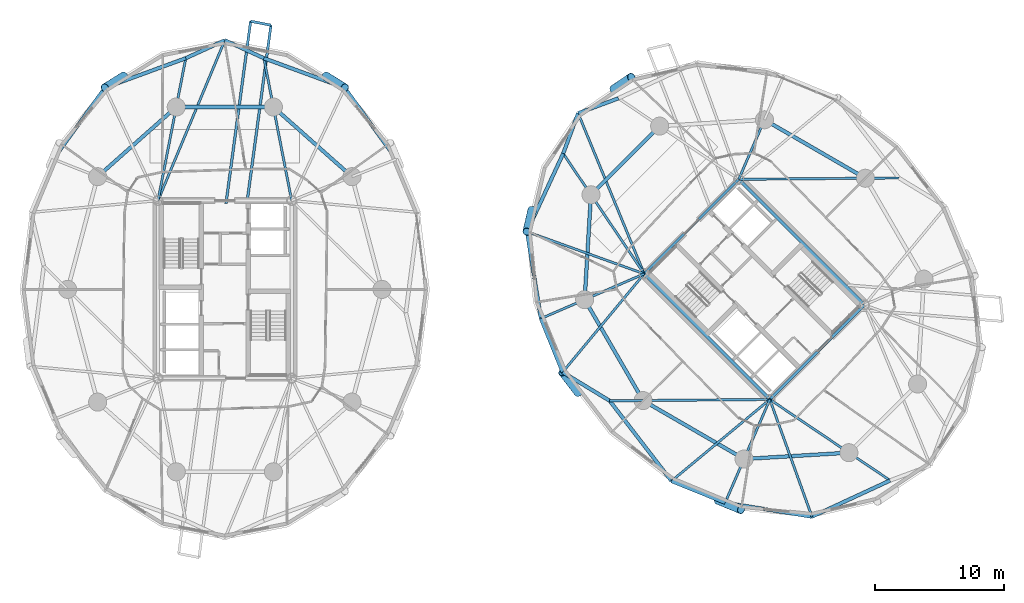
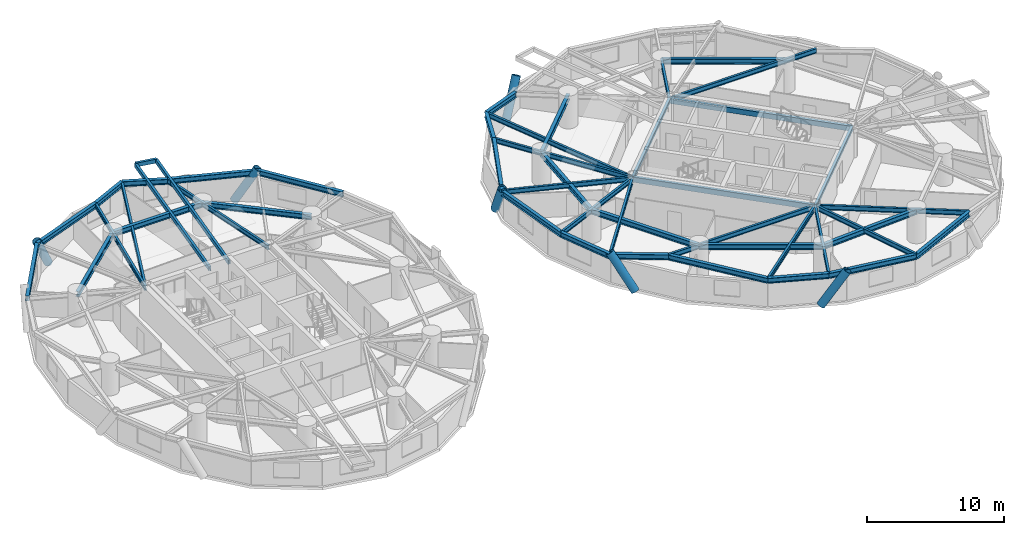
# One storey, part 5 of 16: 48 beams, 6 members.
"""IFC4 building model written with IfcOpenShell, lengths in metres."""

from ifc_helpers import new_model, si_unit, direction, frame, origin, origin_2d, place, context, subcontext, project, spatial, hollow_rectangle, hollow_circle, i_section, extrude, material, material_profile, profile_set, type_object, element, save


model = new_model("IFC4")

# Units and contexts
model_context = context("Model", 3, precision=1e-05, world=origin(), true_north=direction((0.0, 1.0)))
body_context = subcontext(model_context, "Body", "Model", "MODEL_VIEW")
ifc_project = project(units=[si_unit("LENGTHUNIT", "METRE"), si_unit("AREAUNIT", "SQUARE_METRE"), si_unit("VOLUMEUNIT", "CUBIC_METRE"), si_unit("PLANEANGLEUNIT", "RADIAN"), si_unit("MASSUNIT", "GRAM", prefix="KILO")], contexts=[model_context])

# Site, building, storey
site_placement = place(None, origin())
site = spatial("IfcSite", under=ifc_project, at=site_placement, CompositionType="ELEMENT")
building_placement = place(site_placement, origin())
building = spatial("IfcBuilding", under=site, at=building_placement, Name="Cununo Teusaquillo Station Towers", CompositionType="ELEMENT")
storey_placement = place(building_placement, frame((0.0, 0.0, 99.25)))
storey = spatial("IfcBuildingStorey", under=building, at=storey_placement, Name="L31", CompositionType="ELEMENT", Elevation=99.25)

# Beams
ifc_material_1 = material(Name="Steel EN 10025-2 S355J2", Category="steel")
ifc_material_profile_1 = material_profile(ifc_material_1, hollow_rectangle(XDim=0.199951171875, YDim=0.35009765625, WallThickness=0.013916015625, at=origin_2d()), Name="RHS 350x200x14")
ifc_profile_set_1 = profile_set([ifc_material_profile_1], Name="Steel EN 10025-2 S355J2")
beam_type_1 = type_object("IfcBeamType", Name="BM-BAL-CANT", PredefinedType="BEAM", material=ifc_profile_set_1)
beam_1_placement = place(storey_placement, frame((18.206298828125, 31.14990234375, 2.4951171875), z_axis=(0.133960678738, 0.990986648019, 0.0), x_axis=(-0.990986648019, 0.133960678738, 0.0)))
element("IfcBeam", 1, at=beam_1_placement, inside=storey, type_object=beam_type_1, Name="L31 Tower A Balcony Cantilever Bracket 1A", PredefinedType="BEAM", context=body_context, shape_type="SweptSolid", body=[
    extrude(hollow_rectangle(XDim=0.199951171875, YDim=0.35009765625, WallThickness=0.013916015625, at=origin_2d()), origin(), (0.0, 0.0, 1.0), 13.9345703125),
])
beam_2_placement = place(storey_placement, frame((16.59130859375, 31.14990234375, 2.4951171875), z_axis=(0.133936551357, 0.990989909237, 0.0), x_axis=(-0.990989909237, 0.133936551357, 0.0)))
element("IfcBeam", 2, at=beam_2_placement, inside=storey, type_object=beam_type_1, Name="L31 Tower A Balcony Cantilever Bracket 1B", PredefinedType="BEAM", context=body_context, shape_type="SweptSolid", body=[
    extrude(hollow_rectangle(XDim=0.199951171875, YDim=0.35009765625, WallThickness=0.013916015625, at=origin_2d()), origin(), (0.0, 0.0, 1.0), 14.24169921875),
])
ifc_material_2 = material(Name="Steel EN 10025-2 S355J2", Category="steel")
ifc_material_profile_2 = material_profile(ifc_material_2, hollow_rectangle(XDim=0.25, YDim=0.449951171875, WallThickness=0.01611328125, at=origin_2d()), Name="RHS 450x250x16")
ifc_profile_set_2 = profile_set([ifc_material_profile_2], Name="Steel EN 10025-2 S355J2")
beam_type_2 = type_object("IfcBeamType", Name="BM-COUP-1", PredefinedType="USERDEFINED", material=ifc_profile_set_2)
for number, where, z_axis, x_axis, name in (
    (3, (58.70556640625, 15.975830078125, 2.445068359375), (-0.707106781187, 0.707106781187, 0.0), (-0.707106781187, -0.707106781187, 0.0), "L31 Tower B Core Beam 1"),
    (4, (66.024169921875, 23.29443359375, 2.445068359375), (-0.707106781187, 0.707106781187, 0.0), (-0.707106781187, -0.707106781187, 0.0), "L31 Tower B Core Beam 2"),
):
    element("IfcBeam", number, at=place(storey_placement, frame(where, z_axis=z_axis, x_axis=x_axis)), inside=storey, type_object=beam_type_2, Name=name, ObjectType="COUPLING BEAM", PredefinedType="USERDEFINED", context=body_context, shape_type="SweptSolid", body=[
        extrude(hollow_rectangle(XDim=0.25, YDim=0.449951171875, WallThickness=0.01611328125, at=origin_2d()), origin(), (0.0, 0.0, 1.0), 13.760009765625),
    ])
ifc_material_3 = material(Name="Steel ASTM A572 Grade 50", Category="steel")
ifc_material_profile_3 = material_profile(ifc_material_3, i_section(OverallWidth=0.180908203125, OverallDepth=0.4169921875, WebThickness=0.010986328125, FlangeThickness=0.018310546875, FilletRadius=0.012939453125, at=origin_2d()), Name="W16X57")
ifc_profile_set_3 = profile_set([ifc_material_profile_3], Name="Steel ASTM A572 Grade 50")
beam_type_3 = type_object("IfcBeamType", Name="BM-JOIST-1", PredefinedType="JOIST", material=ifc_profile_set_3)
beam_3_placement = place(storey_placement, frame((11.324951171875, 31.3798828125, 2.46142578125), z_axis=(0.38487837995, 0.922967297713, 0.0), x_axis=(-0.922967297713, 0.38487837995, 0.0)))
element("IfcBeam", 5, at=beam_3_placement, inside=storey, type_object=beam_type_3, Name="L31 Tower A Radial Spandrel Joist V05", PredefinedType="JOIST", context=body_context, shape_type="SweptSolid", body=[
    extrude(i_section(OverallWidth=0.180908203125, OverallDepth=0.4169921875, WebThickness=0.010986328125, FlangeThickness=0.018310546875, FilletRadius=0.012939453125, at=origin_2d()), origin(), (0.0, 0.0, 1.0), 13.446044921875),
])
beam_4_placement = place(storey_placement, frame((48.975830078125, 25.70556640625, 2.46142578125), z_axis=(-0.380485864505, 0.924786735908, 0.0), x_axis=(-0.924786735908, -0.380485864505, 0.0)))
element("IfcBeam", 6, at=beam_4_placement, inside=storey, type_object=beam_type_3, Name="L31 Tower B Radial Spandrel Joist V05", PredefinedType="JOIST", context=body_context, shape_type="SweptSolid", body=[
    extrude(i_section(OverallWidth=0.180908203125, OverallDepth=0.4169921875, WebThickness=0.010986328125, FlangeThickness=0.018310546875, FilletRadius=0.012939453125, at=origin_2d()), origin(), (0.0, 0.0, 1.0), 13.44580078125),
])
beam_5_placement = place(storey_placement, frame((48.975830078125, 25.70556640625, 2.46142578125), z_axis=(-0.941082771055, 0.338176312038, 0.0), x_axis=(-0.338176312038, -0.941082771055, 0.0)))
element("IfcBeam", 7, at=beam_5_placement, inside=storey, type_object=beam_type_3, Name="L31 Tower B Radial Spandrel Joist V07", PredefinedType="JOIST", context=body_context, shape_type="SweptSolid", body=[
    extrude(i_section(OverallWidth=0.180908203125, OverallDepth=0.4169921875, WebThickness=0.010986328125, FlangeThickness=0.018310546875, FilletRadius=0.012939453125, at=origin_2d()), origin(), (0.0, 0.0, 1.0), 9.646484375),
])
for number, where, z_axis, x_axis, name in (
    (8, (48.975830078125, 25.70556640625, 2.46142578125), (-0.638372238196, -0.769727799615, 0.0), (0.769727799615, -0.638372238196, 0.0), "L31 Tower B Radial Spandrel Joist V09"),
    (9, (58.70556640625, 15.975830078125, 2.46142578125), (-0.769727799615, -0.638372238196, 0.0), (0.638372238196, -0.769727799615, 0.0), "L31 Tower B Radial Spandrel Joist V11"),
):
    element("IfcBeam", number, at=place(storey_placement, frame(where, z_axis=z_axis, x_axis=x_axis)), inside=storey, type_object=beam_type_3, Name=name, PredefinedType="JOIST", context=body_context, shape_type="SweptSolid", body=[
        extrude(i_section(OverallWidth=0.180908203125, OverallDepth=0.4169921875, WebThickness=0.010986328125, FlangeThickness=0.018310546875, FilletRadius=0.012939453125, at=origin_2d()), origin(), (0.0, 0.0, 1.0), 9.895263671875),
    ])
beam_6_placement = place(storey_placement, frame((58.70556640625, 15.975830078125, 2.46142578125), z_axis=(0.338176312038, -0.941082771055, 0.0), x_axis=(0.941082771055, 0.338176312038, 0.0)))
element("IfcBeam", 10, at=beam_6_placement, inside=storey, type_object=beam_type_3, Name="L31 Tower B Radial Spandrel Joist V13", PredefinedType="JOIST", context=body_context, shape_type="SweptSolid", body=[
    extrude(i_section(OverallWidth=0.180908203125, OverallDepth=0.4169921875, WebThickness=0.010986328125, FlangeThickness=0.018310546875, FilletRadius=0.012939453125, at=origin_2d()), origin(), (0.0, 0.0, 1.0), 9.646484375),
])
ifc_material_4 = material(Name="Steel ASTM A572 Grade 50", Category="steel")
ifc_material_profile_4 = material_profile(ifc_material_4, i_section(OverallWidth=0.2041015625, OverallDepth=0.35009765625, WebThickness=0.008544921875, FlangeThickness=0.01513671875, FilletRadius=0.011962890625, at=origin_2d()), Name="W14X48")
ifc_profile_set_4 = profile_set([ifc_material_profile_4], Name="Steel ASTM A572 Grade 50")
beam_type_4 = type_object("IfcBeamType", Name="BM-LINTEL-1", PredefinedType="LINTEL", material=ifc_profile_set_4)
for number, where, z_axis, x_axis, name in (
    (11, (58.70556640625, 15.975830078125, 2.4951171875), (0.707106781187, 0.707106781187, 0.0), (-0.707106781187, 0.707106781187, 0.0), "L31 Tower B Core Beam 3"),
    (12, (48.975830078125, 25.70556640625, 2.4951171875), (0.707106781187, 0.707106781187, 0.0), (-0.707106781187, 0.707106781187, 0.0), "L31 Tower B Core Beam 4"),
):
    element("IfcBeam", number, at=place(storey_placement, frame(where, z_axis=z_axis, x_axis=x_axis)), inside=storey, type_object=beam_type_4, Name=name, PredefinedType="LINTEL", context=body_context, shape_type="SweptSolid", body=[
        extrude(i_section(OverallWidth=0.2041015625, OverallDepth=0.35009765625, WebThickness=0.008544921875, FlangeThickness=0.01513671875, FilletRadius=0.011962890625, at=origin_2d()), origin(), (0.0, 0.0, 1.0), 10.35009765625),
    ])
ifc_material_5 = material(Name="Steel ASTM A572 Grade 50", Category="steel")
ifc_material_profile_5 = material_profile(ifc_material_5, i_section(OverallWidth=0.180908203125, OverallDepth=0.4169921875, WebThickness=0.010986328125, FlangeThickness=0.018310546875, FilletRadius=0.012939453125, at=origin_2d()), Name="W16X57")
ifc_profile_set_5 = profile_set([ifc_material_profile_5], Name="Steel ASTM A572 Grade 50")
beam_type_5 = type_object("IfcBeamType", Name="BM-RAD-G2", PredefinedType="BEAM", material=ifc_profile_set_5)
for number, where, z_axis, x_axis, name in (
    (13, (21.675048828125, 31.3798828125, 2.46142578125), (-0.191552755713, 0.981482318628, 0.0), (-0.981482318628, -0.191552755713, 0.0), "L31 Tower A Continuous Overhanging Radial Girder 03"),
    (14, (11.324951171875, 31.3798828125, 2.46142578125), (0.191552755713, 0.981482318628, 0.0), (-0.981482318628, 0.191552755713, 0.0), "L31 Tower A Continuous Overhanging Radial Girder 04"),
):
    element("IfcBeam", number, at=place(storey_placement, frame(where, z_axis=z_axis, x_axis=x_axis)), inside=storey, type_object=beam_type_5, Name=name, PredefinedType="BEAM", context=body_context, shape_type="SweptSolid", body=[
        extrude(i_section(OverallWidth=0.180908203125, OverallDepth=0.4169921875, WebThickness=0.010986328125, FlangeThickness=0.018310546875, FilletRadius=0.012939453125, at=origin_2d()), origin(), (0.0, 0.0, 1.0), 11.22998046875),
    ])
beam_7_placement = place(storey_placement, frame((56.29443359375, 33.024169921875, 2.46142578125), z_axis=(0.999964331255, 0.008446077024, 0.0), x_axis=(-0.008446077024, 0.999964331255, 0.0)))
element("IfcBeam", 15, at=beam_7_placement, inside=storey, type_object=beam_type_5, Name="L31 Tower B Continuous Overhanging Radial Girder 01", PredefinedType="BEAM", context=body_context, shape_type="SweptSolid", body=[
    extrude(i_section(OverallWidth=0.180908203125, OverallDepth=0.4169921875, WebThickness=0.010986328125, FlangeThickness=0.018310546875, FilletRadius=0.012939453125, at=origin_2d()), origin(), (0.0, 0.0, 1.0), 12.400634765625),
])
beam_8_placement = place(storey_placement, frame((56.29443359375, 33.024169921875, 2.46142578125), z_axis=(0.397346986387, 0.917668443616, 0.0), x_axis=(-0.917668443616, 0.397346986387, 0.0)))
element("IfcBeam", 16, at=beam_8_placement, inside=storey, type_object=beam_type_5, Name="L31 Tower B Radial Girder 02A", PredefinedType="BEAM", context=body_context, shape_type="SweptSolid", body=[
    extrude(i_section(OverallWidth=0.180908203125, OverallDepth=0.4169921875, WebThickness=0.010986328125, FlangeThickness=0.018310546875, FilletRadius=0.012939453125, at=origin_2d()), origin(), (0.0, 0.0, 1.0), 5.02490234375),
])
beam_9_placement = place(storey_placement, frame((48.975830078125, 25.70556640625, 2.46142578125), z_axis=(-0.558572297481, 0.82945583878, 0.0), x_axis=(-0.82945583878, -0.558572297481, 0.0)))
element("IfcBeam", 17, at=beam_9_placement, inside=storey, type_object=beam_type_5, Name="L31 Tower B Continuous Overhanging Radial Girder 04", PredefinedType="BEAM", context=body_context, shape_type="SweptSolid", body=[
    extrude(i_section(OverallWidth=0.180908203125, OverallDepth=0.4169921875, WebThickness=0.010986328125, FlangeThickness=0.018310546875, FilletRadius=0.012939453125, at=origin_2d()), origin(), (0.0, 0.0, 1.0), 11.22998046875),
])
beam_10_placement = place(storey_placement, frame((48.975830078125, 25.70556640625, 2.46142578125), z_axis=(-0.917654733344, -0.397378648609, 0.0), x_axis=(0.397378648609, -0.917654733344, 0.0)))
element("IfcBeam", 18, at=beam_10_placement, inside=storey, type_object=beam_type_5, Name="L31 Tower B Continuous Overhanging Radial Girder 05", PredefinedType="BEAM", context=body_context, shape_type="SweptSolid", body=[
    extrude(i_section(OverallWidth=0.180908203125, OverallDepth=0.4169921875, WebThickness=0.010986328125, FlangeThickness=0.018310546875, FilletRadius=0.012939453125, at=origin_2d()), origin(), (0.0, 0.0, 1.0), 8.71484375),
])
beam_11_placement = place(storey_placement, frame((58.70556640625, 15.975830078125, 2.46142578125), z_axis=(-0.999964431382, -0.008434214327, 0.0), x_axis=(0.008434214327, -0.999964431382, 0.0)))
element("IfcBeam", 19, at=beam_11_placement, inside=storey, type_object=beam_type_5, Name="L31 Tower B Radial Girder 06A", PredefinedType="BEAM", context=body_context, shape_type="SweptSolid", body=[
    extrude(i_section(OverallWidth=0.180908203125, OverallDepth=0.4169921875, WebThickness=0.010986328125, FlangeThickness=0.018310546875, FilletRadius=0.012939453125, at=origin_2d()), origin(), (0.0, 0.0, 1.0), 9.812744140625),
])
beam_12_placement = place(storey_placement, frame((48.89306640625, 15.89306640625, 2.46142578125), z_axis=(-0.999963950292, -0.008491060999, 0.0), x_axis=(0.008491060999, -0.999963950292, 0.0)))
element("IfcBeam", 20, at=beam_12_placement, inside=storey, type_object=beam_type_5, Name="L31 Tower B Perimeter Overhang Girder 06B", PredefinedType="BEAM", context=body_context, shape_type="SweptSolid", body=[
    extrude(i_section(OverallWidth=0.180908203125, OverallDepth=0.4169921875, WebThickness=0.010986328125, FlangeThickness=0.018310546875, FilletRadius=0.012939453125, at=origin_2d()), origin(), (0.0, 0.0, 1.0), 2.587646484375),
])
beam_13_placement = place(storey_placement, frame((58.70556640625, 15.975830078125, 2.46142578125), z_axis=(-0.397378648609, -0.917654733344, 0.0), x_axis=(0.917654733344, -0.397378648609, 0.0)))
element("IfcBeam", 21, at=beam_13_placement, inside=storey, type_object=beam_type_5, Name="L31 Tower B Continuous Overhanging Radial Girder 07", PredefinedType="BEAM", context=body_context, shape_type="SweptSolid", body=[
    extrude(i_section(OverallWidth=0.180908203125, OverallDepth=0.4169921875, WebThickness=0.010986328125, FlangeThickness=0.018310546875, FilletRadius=0.012939453125, at=origin_2d()), origin(), (0.0, 0.0, 1.0), 8.71484375),
])
beam_14_placement = place(storey_placement, frame((58.70556640625, 15.975830078125, 2.46142578125), z_axis=(0.82945583878, -0.558572297481, 0.0), x_axis=(0.558572297481, 0.82945583878, 0.0)))
element("IfcBeam", 22, at=beam_14_placement, inside=storey, type_object=beam_type_5, Name="L31 Tower B Continuous Overhanging Radial Girder 08", PredefinedType="BEAM", context=body_context, shape_type="SweptSolid", body=[
    extrude(i_section(OverallWidth=0.180908203125, OverallDepth=0.4169921875, WebThickness=0.010986328125, FlangeThickness=0.018310546875, FilletRadius=0.012939453125, at=origin_2d()), origin(), (0.0, 0.0, 1.0), 11.22998046875),
])
ifc_material_6 = material(Name="Steel ASTM A572 Grade 50", Category="steel")
ifc_material_profile_6 = material_profile(ifc_material_6, i_section(OverallWidth=0.280029296875, OverallDepth=0.462890625, WebThickness=0.0107421875, FlangeThickness=0.017333984375, FilletRadius=0.013916015625, at=origin_2d()), Name="W18X76")
ifc_profile_set_6 = profile_set([ifc_material_profile_6], Name="Steel ASTM A572 Grade 50")
beam_type_6 = type_object("IfcBeamType", Name="BM-RING-Z2", PredefinedType="SPANDREL", material=ifc_profile_set_6)
beam_15_placement = place(storey_placement, frame((26.347412109375, 33.228515625, 2.4384765625), z_axis=(-0.74832120039, 0.66333655187, 0.0), x_axis=(-0.66333655187, -0.74832120039, 0.0)))
element("IfcBeam", 23, at=beam_15_placement, inside=storey, type_object=beam_type_6, Name="L31 Tower A Structural Column Ring Girder 02", PredefinedType="SPANDREL", context=body_context, shape_type="SweptSolid", body=[
    extrude(i_section(OverallWidth=0.280029296875, OverallDepth=0.462890625, WebThickness=0.0107421875, FlangeThickness=0.017333984375, FilletRadius=0.013916015625, at=origin_2d()), origin(), (0.0, 0.0, 1.0), 8.1328125),
])
beam_16_placement = place(storey_placement, frame((20.261474609375, 38.623291015625, 2.4384765625), z_axis=(-1.0, 0.0, 0.0), x_axis=(0.0, -1.0, 0.0)))
element("IfcBeam", 24, at=beam_16_placement, inside=storey, type_object=beam_type_6, Name="L31 Tower A Structural Column Ring Girder 03", PredefinedType="SPANDREL", context=body_context, shape_type="SweptSolid", body=[
    extrude(i_section(OverallWidth=0.280029296875, OverallDepth=0.462890625, WebThickness=0.0107421875, FlangeThickness=0.017333984375, FilletRadius=0.013916015625, at=origin_2d()), origin(), (0.0, 0.0, 1.0), 7.52294921875),
])
beam_17_placement = place(storey_placement, frame((12.738525390625, 38.623291015625, 2.4384765625), z_axis=(-0.74832120039, -0.66333655187, 0.0), x_axis=(0.66333655187, -0.74832120039, 0.0)))
element("IfcBeam", 25, at=beam_17_placement, inside=storey, type_object=beam_type_6, Name="L31 Tower A Structural Column Ring Girder 04", PredefinedType="SPANDREL", context=body_context, shape_type="SweptSolid", body=[
    extrude(i_section(OverallWidth=0.280029296875, OverallDepth=0.462890625, WebThickness=0.0107421875, FlangeThickness=0.017333984375, FilletRadius=0.013916015625, at=origin_2d()), origin(), (0.0, 0.0, 1.0), 8.1328125),
])
beam_18_placement = place(storey_placement, frame((29.77880859375, 34.586181640625, 2.4384765625), z_axis=(-0.58594455724, 0.810351143543, 0.0), x_axis=(-0.810351143543, -0.58594455724, 0.0)))
element("IfcBeam", 26, at=beam_18_placement, inside=storey, type_object=beam_type_6, Name="L31 Tower A Spandrel Ring Beam 03", PredefinedType="SPANDREL", context=body_context, shape_type="SweptSolid", body=[
    extrude(i_section(OverallWidth=0.280029296875, OverallDepth=0.462890625, WebThickness=0.0107421875, FlangeThickness=0.017333984375, FilletRadius=0.013916015625, at=origin_2d()), origin(), (0.0, 0.0, 1.0), 6.8115234375),
])
beam_19_placement = place(storey_placement, frame((25.78759765625, 40.10595703125, 2.4384765625), z_axis=(-0.938914161016, 0.34415141761, 0.0), x_axis=(-0.34415141761, -0.938914161016, 0.0)))
element("IfcBeam", 27, at=beam_19_placement, inside=storey, type_object=beam_type_6, Name="L31 Tower A Spandrel Ring Beam 04", PredefinedType="SPANDREL", context=body_context, shape_type="SweptSolid", body=[
    extrude(i_section(OverallWidth=0.280029296875, OverallDepth=0.462890625, WebThickness=0.0107421875, FlangeThickness=0.017333984375, FilletRadius=0.013916015625, at=origin_2d()), origin(), (0.0, 0.0, 1.0), 6.671142578125),
])
for number, where, z_axis, x_axis, name in (
    (28, (19.52392578125, 42.40185546875, 2.4384765625), (-0.908812215281, 0.417205413862, 0.0), (-0.417205413862, -0.908812215281, 0.0), "L31 Tower A Spandrel Ring Beam 05"),
    (29, (16.5, 43.7900390625, 2.4384765625), (-0.908812215281, -0.417205413862, 0.0), (0.417205413862, -0.908812215281, 0.0), "L31 Tower A Spandrel Ring Beam 06"),
):
    element("IfcBeam", number, at=place(storey_placement, frame(where, z_axis=z_axis, x_axis=x_axis)), inside=storey, type_object=beam_type_6, Name=name, PredefinedType="SPANDREL", context=body_context, shape_type="SweptSolid", body=[
        extrude(i_section(OverallWidth=0.280029296875, OverallDepth=0.462890625, WebThickness=0.0107421875, FlangeThickness=0.017333984375, FilletRadius=0.013916015625, at=origin_2d()), origin(), (0.0, 0.0, 1.0), 3.327392578125),
    ])
beam_20_placement = place(storey_placement, frame((13.47607421875, 42.40185546875, 2.4384765625), z_axis=(-0.938914161016, -0.34415141761, 0.0), x_axis=(0.34415141761, -0.938914161016, 0.0)))
element("IfcBeam", 30, at=beam_20_placement, inside=storey, type_object=beam_type_6, Name="L31 Tower A Spandrel Ring Beam 07", PredefinedType="SPANDREL", context=body_context, shape_type="SweptSolid", body=[
    extrude(i_section(OverallWidth=0.280029296875, OverallDepth=0.462890625, WebThickness=0.0107421875, FlangeThickness=0.017333984375, FilletRadius=0.013916015625, at=origin_2d()), origin(), (0.0, 0.0, 1.0), 6.671142578125),
])
beam_21_placement = place(storey_placement, frame((7.21240234375, 40.10595703125, 2.4384765625), z_axis=(-0.58594455724, -0.810351143543, 0.0), x_axis=(0.810351143543, -0.58594455724, 0.0)))
element("IfcBeam", 31, at=beam_21_placement, inside=storey, type_object=beam_type_6, Name="L31 Tower A Spandrel Ring Beam 08", PredefinedType="SPANDREL", context=body_context, shape_type="SweptSolid", body=[
    extrude(i_section(OverallWidth=0.280029296875, OverallDepth=0.462890625, WebThickness=0.0107421875, FlangeThickness=0.017333984375, FilletRadius=0.013916015625, at=origin_2d()), origin(), (0.0, 0.0, 1.0), 6.8115234375),
])
beam_22_placement = place(storey_placement, frame((66.10693359375, 33.10693359375, 2.4384765625), z_axis=(-0.865267103202, 0.501311121078, 0.0), x_axis=(-0.501311121078, -0.865267103202, 0.0)))
element("IfcBeam", 32, at=beam_22_placement, inside=storey, type_object=beam_type_6, Name="L31 Tower B Structural Column Ring Girder 01", PredefinedType="SPANDREL", context=body_context, shape_type="SweptSolid", body=[
    extrude(i_section(OverallWidth=0.280029296875, OverallDepth=0.462890625, WebThickness=0.0107421875, FlangeThickness=0.017333984375, FilletRadius=0.013916015625, at=origin_2d()), origin(), (0.0, 0.0, 1.0), 9.032958984375),
])
beam_23_placement = place(storey_placement, frame((50.173095703125, 37.146240234375, 2.4384765625), z_axis=(-0.707106781187, -0.707106781187, 0.0), x_axis=(0.707106781187, -0.707106781187, 0.0)))
element("IfcBeam", 33, at=beam_23_placement, inside=storey, type_object=beam_type_6, Name="L31 Tower B Structural Column Ring Girder 03", PredefinedType="SPANDREL", context=body_context, shape_type="SweptSolid", body=[
    extrude(i_section(OverallWidth=0.280029296875, OverallDepth=0.462890625, WebThickness=0.0107421875, FlangeThickness=0.017333984375, FilletRadius=0.013916015625, at=origin_2d()), origin(), (0.0, 0.0, 1.0), 7.522705078125),
])
beam_24_placement = place(storey_placement, frame((44.853759765625, 31.826904296875, 2.4384765625), z_axis=(-0.06012979176, -0.998190567048, 0.0), x_axis=(0.998190567048, -0.06012979176, 0.0)))
element("IfcBeam", 34, at=beam_24_placement, inside=storey, type_object=beam_type_6, Name="L31 Tower B Structural Column Ring Girder 04", PredefinedType="SPANDREL", context=body_context, shape_type="SweptSolid", body=[
    extrude(i_section(OverallWidth=0.280029296875, OverallDepth=0.462890625, WebThickness=0.0107421875, FlangeThickness=0.017333984375, FilletRadius=0.013916015625, at=origin_2d()), origin(), (0.0, 0.0, 1.0), 8.132568359375),
])
for number, where, z_axis, x_axis, name in (
    (35, (44.36474609375, 23.708984375, 2.4384765625), (0.501311121078, -0.865267103202, 0.0), (0.865267103202, 0.501311121078, 0.0), "L31 Tower B Structural Column Ring Girder 05"),
    (36, (48.89306640625, 15.89306640625, 2.4384765625), (0.865267103202, -0.501311121078, 0.0), (0.501311121078, 0.865267103202, 0.0), "L31 Tower B Structural Column Ring Girder 06"),
):
    element("IfcBeam", number, at=place(storey_placement, frame(where, z_axis=z_axis, x_axis=x_axis)), inside=storey, type_object=beam_type_6, Name=name, PredefinedType="SPANDREL", context=body_context, shape_type="SweptSolid", body=[
        extrude(i_section(OverallWidth=0.280029296875, OverallDepth=0.462890625, WebThickness=0.0107421875, FlangeThickness=0.017333984375, FilletRadius=0.013916015625, at=origin_2d()), origin(), (0.0, 0.0, 1.0), 9.032958984375),
    ])
beam_25_placement = place(storey_placement, frame((56.708984375, 11.36474609375, 2.4384765625), z_axis=(0.998190567048, 0.06012979176, 0.0), x_axis=(-0.06012979176, 0.998190567048, 0.0)))
element("IfcBeam", 37, at=beam_25_placement, inside=storey, type_object=beam_type_6, Name="L31 Tower B Structural Column Ring Girder 07", PredefinedType="SPANDREL", context=body_context, shape_type="SweptSolid", body=[
    extrude(i_section(OverallWidth=0.280029296875, OverallDepth=0.462890625, WebThickness=0.0107421875, FlangeThickness=0.017333984375, FilletRadius=0.013916015625, at=origin_2d()), origin(), (0.0, 0.0, 1.0), 8.132568359375),
])
for number, where, z_axis, x_axis, name in (
    (38, (46.979736328125, 39.296875, 2.4384765625), (-0.937628334414, -0.347639333943, 0.0), (0.347639333943, -0.937628334414, 0.0), "L31 Tower B Spandrel Ring Beam 05"),
    (39, (43.85986328125, 38.14013671875, 2.4384765625), (-0.347639333943, -0.937628334414, 0.0), (0.937628334414, -0.347639333943, 0.0), "L31 Tower B Spandrel Ring Beam 06"),
):
    element("IfcBeam", number, at=place(storey_placement, frame(where, z_axis=z_axis, x_axis=x_axis)), inside=storey, type_object=beam_type_6, Name=name, PredefinedType="SPANDREL", context=body_context, shape_type="SweptSolid", body=[
        extrude(i_section(OverallWidth=0.280029296875, OverallDepth=0.462890625, WebThickness=0.0107421875, FlangeThickness=0.017333984375, FilletRadius=0.013916015625, at=origin_2d()), origin(), (0.0, 0.0, 1.0), 3.327392578125),
    ])
beam_26_placement = place(storey_placement, frame((42.703125, 35.020263671875, 2.4384765625), z_axis=(-0.420535961689, -0.907275870354, 0.0), x_axis=(0.907275870354, -0.420535961689, 0.0)))
element("IfcBeam", 40, at=beam_26_placement, inside=storey, type_object=beam_type_6, Name="L31 Tower B Spandrel Ring Beam 07", PredefinedType="SPANDREL", context=body_context, shape_type="SweptSolid", body=[
    extrude(i_section(OverallWidth=0.280029296875, OverallDepth=0.462890625, WebThickness=0.0107421875, FlangeThickness=0.017333984375, FilletRadius=0.013916015625, at=origin_2d()), origin(), (0.0, 0.0, 1.0), 6.671142578125),
])
beam_27_placement = place(storey_placement, frame((39.897705078125, 28.9677734375, 2.4384765625), z_axis=(0.158671232312, -0.987331474246, 0.0), x_axis=(0.987331474246, 0.158671232312, 0.0)))
element("IfcBeam", 41, at=beam_27_placement, inside=storey, type_object=beam_type_6, Name="L31 Tower B Spandrel Ring Beam 08", PredefinedType="SPANDREL", context=body_context, shape_type="SweptSolid", body=[
    extrude(i_section(OverallWidth=0.280029296875, OverallDepth=0.462890625, WebThickness=0.0107421875, FlangeThickness=0.017333984375, FilletRadius=0.013916015625, at=origin_2d()), origin(), (0.0, 0.0, 1.0), 6.8115234375),
])
beam_28_placement = place(storey_placement, frame((40.978515625, 22.242431640625, 2.4384765625), z_axis=(0.375042266631, -0.927007712072, 0.0), x_axis=(0.927007712072, 0.375042266631, 0.0)))
element("IfcBeam", 42, at=beam_28_placement, inside=storey, type_object=beam_type_6, Name="L31 Tower B Spandrel Ring Beam 09", PredefinedType="SPANDREL", context=body_context, shape_type="SweptSolid", body=[
    extrude(i_section(OverallWidth=0.280029296875, OverallDepth=0.462890625, WebThickness=0.0107421875, FlangeThickness=0.017333984375, FilletRadius=0.013916015625, at=origin_2d()), origin(), (0.0, 0.0, 1.0), 4.480712890625),
])
beam_29_placement = place(storey_placement, frame((42.658935546875, 18.0888671875, 2.4384765625), z_axis=(0.854388492444, -0.519634779416, 0.0), x_axis=(0.519634779416, 0.854388492444, 0.0)))
element("IfcBeam", 43, at=beam_29_placement, inside=storey, type_object=beam_type_6, Name="L31 Tower B Spandrel Ring Beam 10", PredefinedType="SPANDREL", context=body_context, shape_type="SweptSolid", body=[
    extrude(i_section(OverallWidth=0.280029296875, OverallDepth=0.462890625, WebThickness=0.0107421875, FlangeThickness=0.017333984375, FilletRadius=0.013916015625, at=origin_2d()), origin(), (0.0, 0.0, 1.0), 4.26806640625),
])
beam_30_placement = place(storey_placement, frame((46.305419921875, 15.87109375, 2.4384765625), z_axis=(0.610100441726, -0.792324082056, 0.0), x_axis=(0.792324082056, 0.610100441726, 0.0)))
element("IfcBeam", 44, at=beam_30_placement, inside=storey, type_object=beam_type_6, Name="L31 Tower B Spandrel Ring Beam 11", PredefinedType="SPANDREL", context=body_context, shape_type="SweptSolid", body=[
    extrude(i_section(OverallWidth=0.280029296875, OverallDepth=0.462890625, WebThickness=0.0107421875, FlangeThickness=0.017333984375, FilletRadius=0.013916015625, at=origin_2d()), origin(), (0.0, 0.0, 1.0), 7.84033203125),
])
beam_31_placement = place(storey_placement, frame((51.0888671875, 9.658935546875, 2.4384765625), z_axis=(0.927007712072, -0.375042266631, 0.0), x_axis=(0.375042266631, 0.927007712072, 0.0)))
element("IfcBeam", 45, at=beam_31_placement, inside=storey, type_object=beam_type_6, Name="L31 Tower B Spandrel Ring Beam 12", PredefinedType="SPANDREL", context=body_context, shape_type="SweptSolid", body=[
    extrude(i_section(OverallWidth=0.280029296875, OverallDepth=0.462890625, WebThickness=0.0107421875, FlangeThickness=0.017333984375, FilletRadius=0.013916015625, at=origin_2d()), origin(), (0.0, 0.0, 1.0), 4.480712890625),
])
beam_32_placement = place(storey_placement, frame((55.242431640625, 7.978515625, 2.4384765625), z_axis=(0.987331474246, -0.158671232312, 0.0), x_axis=(0.158671232312, 0.987331474246, 0.0)))
element("IfcBeam", 46, at=beam_32_placement, inside=storey, type_object=beam_type_6, Name="L31 Tower B Spandrel Ring Beam 13", PredefinedType="SPANDREL", context=body_context, shape_type="SweptSolid", body=[
    extrude(i_section(OverallWidth=0.280029296875, OverallDepth=0.462890625, WebThickness=0.0107421875, FlangeThickness=0.017333984375, FilletRadius=0.013916015625, at=origin_2d()), origin(), (0.0, 0.0, 1.0), 6.8115234375),
])
beam_33_placement = place(storey_placement, frame((61.9677734375, 6.897705078125, 2.4384765625), z_axis=(0.907275870354, 0.420535961689, 0.0), x_axis=(-0.420535961689, 0.907275870354, 0.0)))
element("IfcBeam", 47, at=beam_33_placement, inside=storey, type_object=beam_type_6, Name="L31 Tower B Spandrel Ring Beam 14", PredefinedType="SPANDREL", context=body_context, shape_type="SweptSolid", body=[
    extrude(i_section(OverallWidth=0.280029296875, OverallDepth=0.462890625, WebThickness=0.0107421875, FlangeThickness=0.017333984375, FilletRadius=0.013916015625, at=origin_2d()), origin(), (0.0, 0.0, 1.0), 6.671142578125),
])
ifc_material_7 = material(Name="Steel EN 10025-2 S355J2", Category="steel")
ifc_material_profile_7 = material_profile(ifc_material_7, hollow_rectangle(XDim=0.199951171875, YDim=0.35009765625, WallThickness=0.013916015625, at=origin_2d()), Name="RHS 350x200x14")
ifc_profile_set_7 = profile_set([ifc_material_profile_7], Name="Steel EN 10025-2 S355J2")
beam_type_7 = type_object("IfcBeamType", Name="BM-STAIR-TRIM", PredefinedType="BEAM", material=ifc_profile_set_7)
beam_34_placement = place(storey_placement, frame((20.072998046875, 44.958984375, 2.52490234375), z_axis=(-0.981836621572, 0.189728354603, 0.0), x_axis=(-0.189728354603, -0.981836621572, 0.0)))
element("IfcBeam", 48, at=beam_34_placement, inside=storey, type_object=beam_type_7, Name="L31 Tower A Balcony Edge Trimmer Beam 1", PredefinedType="BEAM", context=body_context, shape_type="SweptSolid", body=[
    extrude(hollow_rectangle(XDim=0.199951171875, YDim=0.35009765625, WallThickness=0.013916015625, at=origin_2d()), origin(), (0.0, 0.0, 1.0), 1.603271484375),
])

# Members
ifc_material_8 = material(Name="Steel EN 10025-2 S355J2", Category="steel")
ifc_material_profile_8 = material_profile(ifc_material_8, hollow_circle(Radius=0.330078125, WallThickness=0.02490234375, at=origin_2d()), Name="CHS 660x25")
ifc_profile_set_8 = profile_set([ifc_material_profile_8], Name="Steel EN 10025-2 S355J2")
member_type = type_object("IfcMemberType", Name="MBR-DIAG-Z2", PredefinedType="BRACE", material=ifc_profile_set_8)
for number, where, z_axis, x_axis, name in (
    (49, (24.3193359375, 41.019287109375, -0.139892578125), (0.433768032271, -0.269824776975, 0.859674289432), (0.528195574716, 0.849122744278, 0.0), "L31 Tower A Folded-Zigzag Diagrid Tube C03"),
    (50, (8.6806640625, 41.019287109375, -0.139892578125), (-0.433768032271, -0.269824776975, 0.859674289432), (0.528195574716, -0.849122744278, 0.0), "L31 Tower A Folded-Zigzag Diagrid Tube C06"),
):
    element("IfcMember", number, at=place(storey_placement, frame(where, z_axis=z_axis, x_axis=x_axis)), inside=storey, type_object=member_type, Name=name, PredefinedType="BRACE", context=body_context, shape_type="SweptSolid", body=[
        extrude(hollow_circle(Radius=0.330078125, WallThickness=0.02490234375, at=origin_2d()), origin(), (0.0, 0.0, 1.0), 3.385009765625),
    ])
member_1_placement = place(storey_placement, frame((46.606689453125, 39.996826171875, -0.139892578125), z_axis=(0.410124934173, 0.277231625428, 0.868872927552), x_axis=(-0.560024081213, 0.828476329452, 0.0)))
element("IfcMember", 51, at=member_1_placement, inside=storey, type_object=member_type, Name="L31 Tower B Folded-Zigzag Diagrid Tube C04", PredefinedType="BRACE", context=body_context, shape_type="SweptSolid", body=[
    extrude(hollow_circle(Radius=0.330078125, WallThickness=0.02490234375, at=origin_2d()), origin(), (0.0, 0.0, 1.0), 3.34912109375),
])
member_2_placement = place(storey_placement, frame((40.2900390625, 30.651611328125, -0.139892578125), z_axis=(-0.115910772147, -0.497471434658, 0.859701613701), x_axis=(0.973913029911, -0.226921594761, 0.0)))
element("IfcMember", 52, at=member_2_placement, inside=storey, type_object=member_type, Name="L31 Tower B Folded-Zigzag Diagrid Tube C06", PredefinedType="BRACE", context=body_context, shape_type="SweptSolid", body=[
    extrude(hollow_circle(Radius=0.330078125, WallThickness=0.02490234375, at=origin_2d()), origin(), (0.0, 0.0, 1.0), 3.384765625),
])
member_3_placement = place(storey_placement, frame((43.881591796875, 16.501708984375, -0.139892578125), z_axis=(-0.346074936166, 0.449247835466, 0.823655583898), x_axis=(-0.792197972779, -0.610264182076, 0.0)))
element("IfcMember", 53, at=member_3_placement, inside=storey, type_object=member_type, Name="L31 Tower B Folded-Zigzag Diagrid Tube C09", PredefinedType="BRACE", context=body_context, shape_type="SweptSolid", body=[
    extrude(hollow_circle(Radius=0.330078125, WallThickness=0.02490234375, at=origin_2d()), origin(), (0.0, 0.0, 1.0), 3.532958984375),
])
member_4_placement = place(storey_placement, frame((54.681884765625, 8.181884765625, -0.139892578125), z_axis=(0.51346268498, -0.211093316399, 0.83174255807), x_axis=(0.380237656053, 0.924888817599, 0.0)))
element("IfcMember", 54, at=member_4_placement, inside=storey, type_object=member_type, Name="L31 Tower B Folded-Zigzag Diagrid Tube C11", PredefinedType="BRACE", context=body_context, shape_type="SweptSolid", body=[
    extrude(hollow_circle(Radius=0.330078125, WallThickness=0.02490234375, at=origin_2d()), origin(), (0.0, 0.0, 1.0), 3.49853515625),
])

save(model, "model.ifc")
